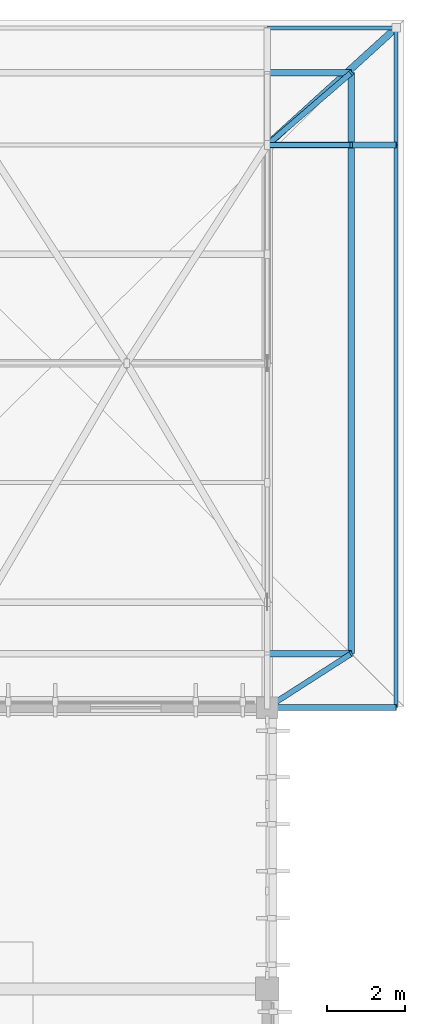
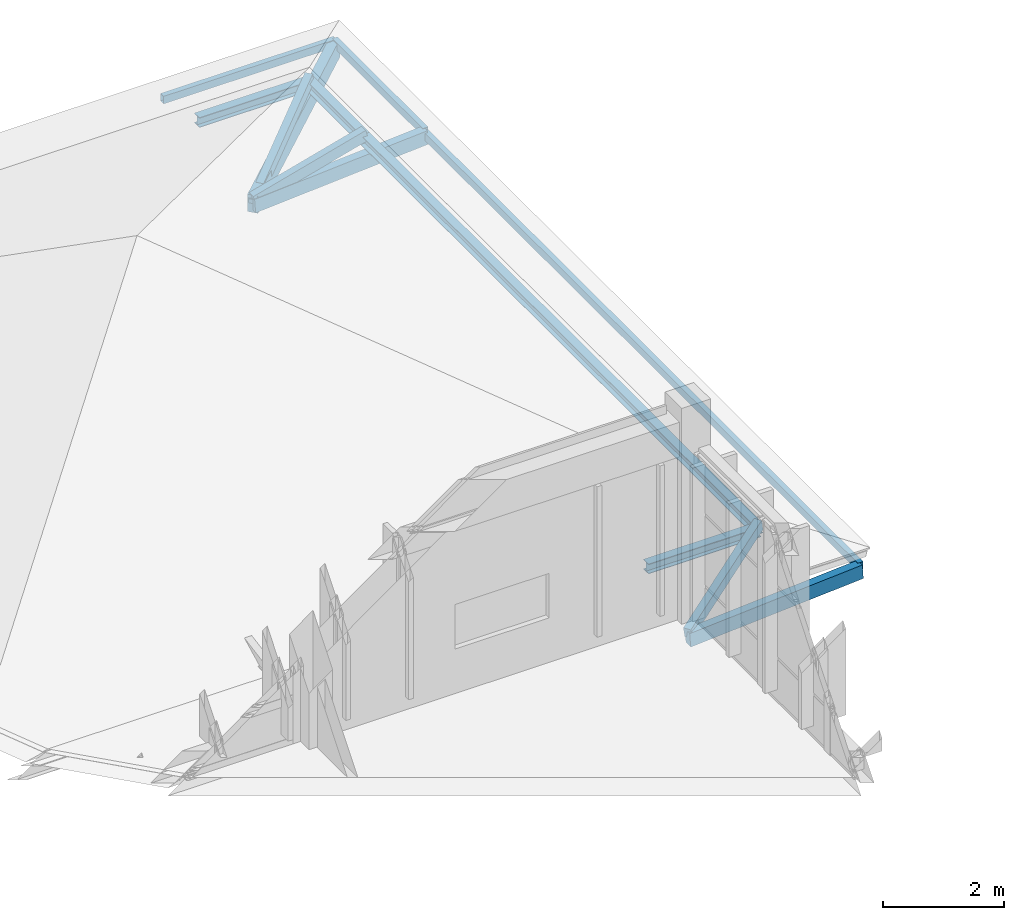
# One storey, part 18 of 51: 13 members.
"""IFC4 building model written with IfcOpenShell, lengths in metres."""

from ifc_helpers import new_model, si_unit, direction, frame, origin, origin_2d, place, context, subcontext, project, spatial, rectangle, hollow_rectangle, i_section, extrude, material, material_profile, profile_set, type_object, element, save


model = new_model("IFC4")

# Units and contexts
model_context = context("Model", 3, precision=1e-05, world=origin(), true_north=direction((0.0, 1.0)))
body_context = subcontext(model_context, "Body", "Model", "MODEL_VIEW")
ifc_project = project(units=[si_unit("LENGTHUNIT", "METRE"), si_unit("AREAUNIT", "SQUARE_METRE"), si_unit("VOLUMEUNIT", "CUBIC_METRE"), si_unit("PLANEANGLEUNIT", "RADIAN"), si_unit("MASSUNIT", "GRAM", prefix="KILO")], contexts=[model_context])

# Site, building, storey
site_placement = place(None, origin())
site = spatial("IfcSite", under=ifc_project, at=site_placement, CompositionType="ELEMENT")
building_placement = place(site_placement, origin())
building = spatial("IfcBuilding", under=site, at=building_placement, Name="Steenspoor Specialist Clinic", CompositionType="ELEMENT")
storey_placement = place(building_placement, frame((0.0, 0.0, 17.39990234375)))
storey = spatial("IfcBuildingStorey", under=building, at=storey_placement, Name="L04", CompositionType="ELEMENT", Elevation=17.39990234375)

# Members
ifc_material_1 = material(Name="Steel A500 Grade C", Category="steel")
ifc_material_profile_1 = material_profile(ifc_material_1, hollow_rectangle(XDim=0.1015625, YDim=0.15234375, WallThickness=0.005859375, at=origin_2d()), Name="HSS152X102X6.4")
ifc_profile_set_1 = profile_set([ifc_material_profile_1], Name="Steel A500 Grade C")
member_type_1 = type_object("IfcMemberType", Name="MEM-PURLIN-H152", PredefinedType="PURLIN", material=ifc_profile_set_1)
member_1_placement = place(storey_placement, frame((146.800048828125, 111.35009765625, -0.19482421875), z_axis=(1.0, 0.0, 0.0), x_axis=(0.0, 1.0, 0.0)))
element("IfcMember", 1, at=member_1_placement, inside=storey, type_object=member_type_1, Name="ROOF TRUSS Eave Fascia 494", PredefinedType="PURLIN", context=body_context, shape_type="SweptSolid", body=[
    extrude(hollow_rectangle(XDim=0.1015625, YDim=0.15234375, WallThickness=0.005859375, at=origin_2d()), origin(), (0.0, 0.0, 1.0), 3.300048828125),
])
member_2_placement = place(storey_placement, frame((150.10009765625, 93.949951171875, -0.2431640625), z_axis=(0.0, 1.0, 0.0), x_axis=(-1.0, 0.0, 0.0)))
element("IfcMember", 2, at=member_2_placement, inside=storey, type_object=member_type_1, Name="ROOF TRUSS Eave Fascia 495", PredefinedType="PURLIN", context=body_context, shape_type="SweptSolid", body=[
    extrude(hollow_rectangle(XDim=0.1015625, YDim=0.15234375, WallThickness=0.005859375, at=origin_2d()), origin(), (0.0, 0.0, 1.0), 14.400146484375),
])
member_3_placement = place(storey_placement, frame((150.10009765625, 108.35009765625, -0.19482421875), z_axis=(0.0, 1.0, 0.0), x_axis=(-1.0, 0.0, 0.0)))
element("IfcMember", 3, at=member_3_placement, inside=storey, type_object=member_type_1, Name="ROOF TRUSS Eave Fascia 496", PredefinedType="PURLIN", context=body_context, shape_type="SweptSolid", body=[
    extrude(hollow_rectangle(XDim=0.1015625, YDim=0.15234375, WallThickness=0.005859375, at=origin_2d()), origin(), (0.0, 0.0, 1.0), 3.0),
])
ifc_material_2 = material(Name="Steel A992 Grade 50", Category="steel")
ifc_material_profile_2 = material_profile(ifc_material_2, i_section(OverallWidth=0.1650390625, OverallDepth=0.200927734375, WebThickness=0.006103515625, FlangeThickness=0.01025390625, at=origin_2d()), Name="W200X36")
ifc_profile_set_2 = profile_set([ifc_material_profile_2], Name="Steel A992 Grade 50")
member_type_2 = type_object("IfcMemberType", Name="MEM-PURLIN-W200", PredefinedType="PURLIN", material=ifc_profile_set_2)
for number, where, z_axis, x_axis, name in (
    (4, (146.800048828125, 95.330078125, 0.065185546875), (1.0, 0.0, 0.0), (0.0, 1.0, 0.0), "ROOF TRUSS Knuckle Purlin 501"),
    (5, (146.800048828125, 110.199951171875, 0.065185546875), (1.0, 0.0, 0.0), (0.0, 1.0, 0.0), "ROOF TRUSS Knuckle Purlin 502"),
):
    element("IfcMember", number, at=place(storey_placement, frame(where, z_axis=z_axis, x_axis=x_axis)), inside=storey, type_object=member_type_2, Name=name, PredefinedType="PURLIN", context=body_context, shape_type="SweptSolid", body=[
        extrude(i_section(OverallWidth=0.1650390625, OverallDepth=0.200927734375, WebThickness=0.006103515625, FlangeThickness=0.01025390625, at=origin_2d()), origin(), (0.0, 0.0, 1.0), 2.14990234375),
    ])
member_4_placement = place(storey_placement, frame((148.949951171875, 95.330078125, 0.065185546875), z_axis=(0.0, 1.0, 0.0), x_axis=(-1.0, 0.0, 0.0)))
element("IfcMember", 6, at=member_4_placement, inside=storey, type_object=member_type_2, Name="ROOF TRUSS Knuckle Purlin 505", PredefinedType="PURLIN", context=body_context, shape_type="SweptSolid", body=[
    extrude(i_section(OverallWidth=0.1650390625, OverallDepth=0.200927734375, WebThickness=0.006103515625, FlangeThickness=0.01025390625, at=origin_2d()), origin(), (0.0, 0.0, 1.0), 13.02001953125),
])
member_5_placement = place(storey_placement, frame((148.949951171875, 108.35009765625, 0.065185546875), z_axis=(0.0, 1.0, 0.0), x_axis=(-1.0, 0.0, 0.0)))
element("IfcMember", 7, at=member_5_placement, inside=storey, type_object=member_type_2, Name="ROOF TRUSS Knuckle Purlin 506", PredefinedType="PURLIN", context=body_context, shape_type="SweptSolid", body=[
    extrude(i_section(OverallWidth=0.1650390625, OverallDepth=0.200927734375, WebThickness=0.006103515625, FlangeThickness=0.01025390625, at=origin_2d()), origin(), (0.0, 0.0, 1.0), 1.849853515625),
])
ifc_material_3 = material(Name="Glulam GL28h", Category="wood")
ifc_material_profile_3 = material_profile(ifc_material_3, rectangle(XDim=0.139892578125, YDim=0.219970703125, at=origin_2d()), Name="GL28H-140X220")
ifc_profile_set_3 = profile_set([ifc_material_profile_3], Name="Glulam GL28h")
member_type_3 = type_object("IfcMemberType", Name="MEM-RAFTER-GL220", PredefinedType="RAFTER", material=ifc_profile_set_3)
member_6_placement = place(storey_placement, frame((146.800048828125, 108.35009765625, -0.407958984375), z_axis=(0.964948181413, 0.0, 0.262440483135), x_axis=(0.0, 1.0, 0.0)))
element("IfcMember", 8, at=member_6_placement, inside=storey, type_object=member_type_3, Name="ROOF TRUSS Knuckle Rafter V6T3 345", PredefinedType="RAFTER", context=body_context, shape_type="SweptSolid", body=[
    extrude(rectangle(XDim=0.139892578125, YDim=0.219970703125, at=origin_2d()), origin(), (0.0, 0.0, 1.0), 2.22802734375),
])
member_7_placement = place(storey_placement, frame((146.800048828125, 93.949951171875, -0.44580078125), z_axis=(0.817600556933, 0.524857591226, 0.236756918031), x_axis=(-0.540216531927, 0.841526053449, 0.0)))
element("IfcMember", 9, at=member_7_placement, inside=storey, type_object=member_type_3, Name="ROOF TRUSS Corner Knuckle Rafter V6T3 348", PredefinedType="RAFTER", context=body_context, shape_type="SweptSolid", body=[
    extrude(rectangle(XDim=0.139892578125, YDim=0.219970703125, at=origin_2d()), origin(), (0.0, 0.0, 1.0), 2.629638671875),
])
member_8_placement = place(storey_placement, frame((146.800048828125, 108.35009765625, -0.5), z_axis=(0.73732197933, 0.634418423505, 0.232098174733), x_axis=(-0.652229262009, 0.758021760756, 0.0)))
element("IfcMember", 10, at=member_8_placement, inside=storey, type_object=member_type_3, Name="ROOF TRUSS Corner Knuckle Rafter V6T3 350", PredefinedType="RAFTER", context=body_context, shape_type="SweptSolid", body=[
    extrude(rectangle(XDim=0.139892578125, YDim=0.219970703125, at=origin_2d()), origin(), (0.0, 0.0, 1.0), 2.915771484375),
])
ifc_material_profile_4 = material_profile(ifc_material_3, rectangle(XDim=0.159912109375, YDim=0.280029296875, at=origin_2d()), Name="GL28H-160X280")
ifc_profile_set_4 = profile_set([ifc_material_profile_4], Name="Glulam GL28h")
member_type_4 = type_object("IfcMemberType", Name="MEM-RAFTER-GL280", PredefinedType="RAFTER", material=ifc_profile_set_4)
for number, where, z_axis, x_axis, name in (
    (11, (146.800048828125, 93.949951171875, -0.5400390625), (0.997513468668, 0.0, 0.070476093999), (0.0, 1.0, 0.0), "ROOF TRUSS Flared Eave Glulam Outrigger V6T3 343"),
    (12, (146.800048828125, 108.35009765625, -0.5), (0.997513468668, 0.0, 0.070476093999), (0.0, 1.0, 0.0), "ROOF TRUSS Flared Eave Glulam Outrigger V6T3 344"),
):
    element("IfcMember", number, at=place(storey_placement, frame(where, z_axis=z_axis, x_axis=x_axis)), inside=storey, type_object=member_type_4, Name=name, PredefinedType="RAFTER", context=body_context, shape_type="SweptSolid", body=[
        extrude(rectangle(XDim=0.159912109375, YDim=0.280029296875, at=origin_2d()), origin(), (0.0, 0.0, 1.0), 3.308349609375),
    ])
ifc_material_profile_5 = material_profile(ifc_material_3, rectangle(XDim=0.179931640625, YDim=0.360107421875, at=origin_2d()), Name="GL28H-180X360")
ifc_profile_set_5 = profile_set([ifc_material_profile_5], Name="Glulam GL28h")
member_type_5 = type_object("IfcMemberType", Name="MEM-RAFTER-GL360", PredefinedType="RAFTER", material=ifc_profile_set_5)
member_9_placement = place(storey_placement, frame((146.800048828125, 108.35009765625, -0.5), z_axis=(0.739261036473, 0.672045543847, 0.042987288205), x_axis=(-0.672667344567, 0.739945027386, 0.0)))
element("IfcMember", 13, at=member_9_placement, inside=storey, type_object=member_type_5, Name="ROOF TRUSS Corner Hip Outrigger V6T3 349", PredefinedType="RAFTER", context=body_context, shape_type="SweptSolid", body=[
    extrude(rectangle(XDim=0.179931640625, YDim=0.360107421875, at=origin_2d()), origin(), (0.0, 0.0, 1.0), 4.4638671875),
])

save(model, "model.ifc")
